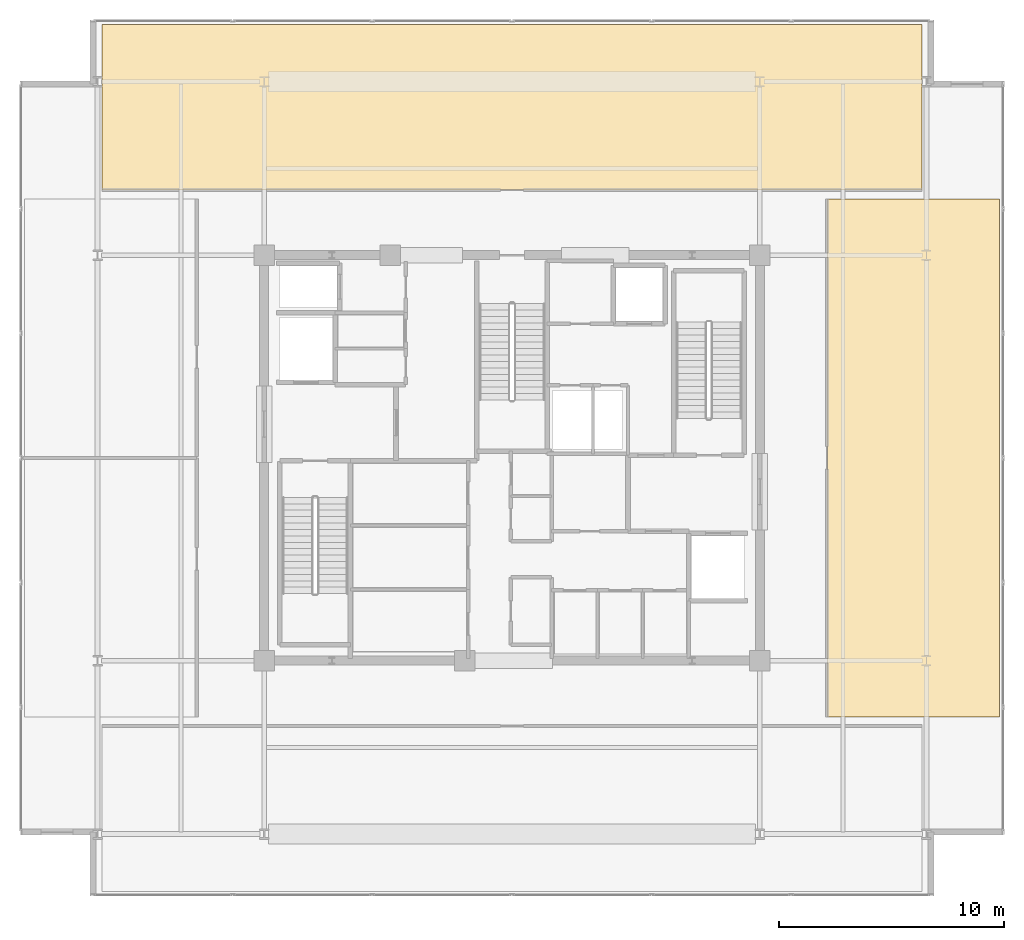
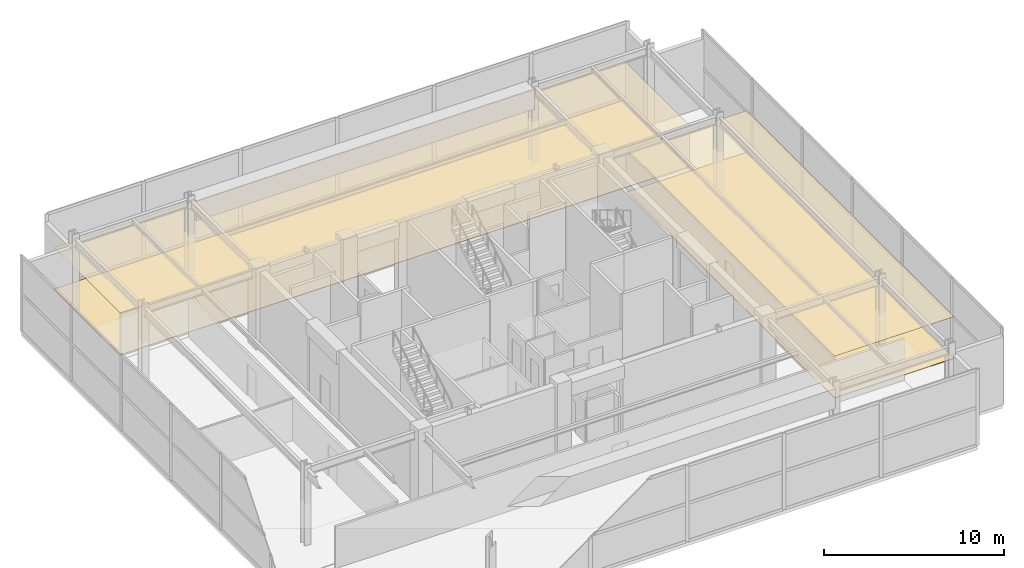
# One storey, part 24 of 24: 4 coverings.
"""IFC4 building model written with IfcOpenShell, lengths in metres."""

from ifc_helpers import new_model, si_unit, direction, frame, origin, place, context, subcontext, project, spatial, polyline, outline, extrude, material, layer, layer_set, type_object, element, save


model = new_model("IFC4")

# Units and contexts
model_context = context("Model", 3, precision=1e-05, world=origin(), true_north=direction((0.0, 1.0)))
body_context = subcontext(model_context, "Body", "Model", "MODEL_VIEW")
ifc_project = project(units=[si_unit("LENGTHUNIT", "METRE"), si_unit("AREAUNIT", "SQUARE_METRE"), si_unit("VOLUMEUNIT", "CUBIC_METRE"), si_unit("PLANEANGLEUNIT", "RADIAN"), si_unit("MASSUNIT", "GRAM", prefix="KILO")], contexts=[model_context])

# Site, building, storey
site_placement = place(None, origin())
site = spatial("IfcSite", under=ifc_project, at=site_placement, CompositionType="ELEMENT")
building_placement = place(site_placement, origin())
building = spatial("IfcBuilding", under=site, at=building_placement, Name="Kovane Verandah Tower", CompositionType="ELEMENT")
storey_placement = place(building_placement, frame((0.0, 0.0, 348.800048828125)))
storey = spatial("IfcBuildingStorey", under=building, at=storey_placement, Name="L81", CompositionType="ELEMENT", Elevation=348.800048828125)

# Coverings
ifc_material_1 = material(Name="Perforated Acoustic Mineral-Fibre Ceiling Tile", Category="gypsum")
ifc_layer_1 = layer(ifc_material_1, 0.02490234375)
ifc_layer_set_1 = layer_set([ifc_layer_1], Name="Perforated Acoustic Mineral-Fibre Ceiling Tile")
covering_type_1 = type_object("IfcCoveringType", Name="CV-CEIL-25", PredefinedType="CEILING", material=ifc_layer_set_1)
covering_1_placement = place(storey_placement, frame((0.0, 0.0, 2.824951171875)))
element("IfcCovering", 1, at=covering_1_placement, inside=storey, type_object=covering_type_1, Name="L81 Public Observation Viewing Gallery North Acoustic Ceiling", PredefinedType="CEILING", context=body_context, shape_type="SweptSolid", body=[
    extrude(outline(polyline([(21.800048828125, 39.39990234375), (58.199951171875, 39.39990234375), (58.199951171875, 46.75), (21.800048828125, 46.75), (21.800048828125, 39.39990234375)])), origin(), (0.0, 0.0, 1.0), 0.02490234375),
])
covering_2_placement = place(storey_placement, frame((0.0, 0.0, 2.824951171875)))
element("IfcCovering", 2, at=covering_2_placement, inside=storey, type_object=covering_type_1, Name="L81 Observation Souvenir and Ticket Gallery Acoustic Ceiling", PredefinedType="CEILING", context=body_context, shape_type="SweptSolid", body=[
    extrude(outline(polyline([(54.0, 16.0), (61.64990234375, 16.0), (61.64990234375, 39.0), (54.0, 39.0), (54.0, 16.0)])), origin(), (0.0, 0.0, 1.0), 0.02490234375),
])
ifc_material_2 = material(Name="Polished Terrazzo and Raised-Access Carpet Tile Finish", Category="concrete")
ifc_layer_2 = layer(ifc_material_2, 0.030029296875)
ifc_layer_set_2 = layer_set([ifc_layer_2], Name="Polished Terrazzo and Raised-Access Carpet Tile Finish")
covering_type_2 = type_object("IfcCoveringType", Name="CV-FLOR-30", PredefinedType="FLOORING", material=ifc_layer_set_2)
covering_3_placement = place(storey_placement, origin())
element("IfcCovering", 3, at=covering_3_placement, inside=storey, type_object=covering_type_2, Name="L81 Public Observation Viewing Gallery North Floor Finish", PredefinedType="FLOORING", context=body_context, shape_type="SweptSolid", body=[
    extrude(outline(polyline([(21.800048828125, 39.39990234375), (58.199951171875, 39.39990234375), (58.199951171875, 46.75), (21.800048828125, 46.75), (21.800048828125, 39.39990234375)])), origin(), (0.0, 0.0, 1.0), 0.030029296875),
])
covering_4_placement = place(storey_placement, origin())
element("IfcCovering", 4, at=covering_4_placement, inside=storey, type_object=covering_type_2, Name="L81 Observation Souvenir and Ticket Gallery Floor Finish", PredefinedType="FLOORING", context=body_context, shape_type="SweptSolid", body=[
    extrude(outline(polyline([(54.0, 16.0), (61.64990234375, 16.0), (61.64990234375, 39.0), (54.0, 39.0), (54.0, 16.0)])), origin(), (0.0, 0.0, 1.0), 0.030029296875),
])

save(model, "model.ifc")
